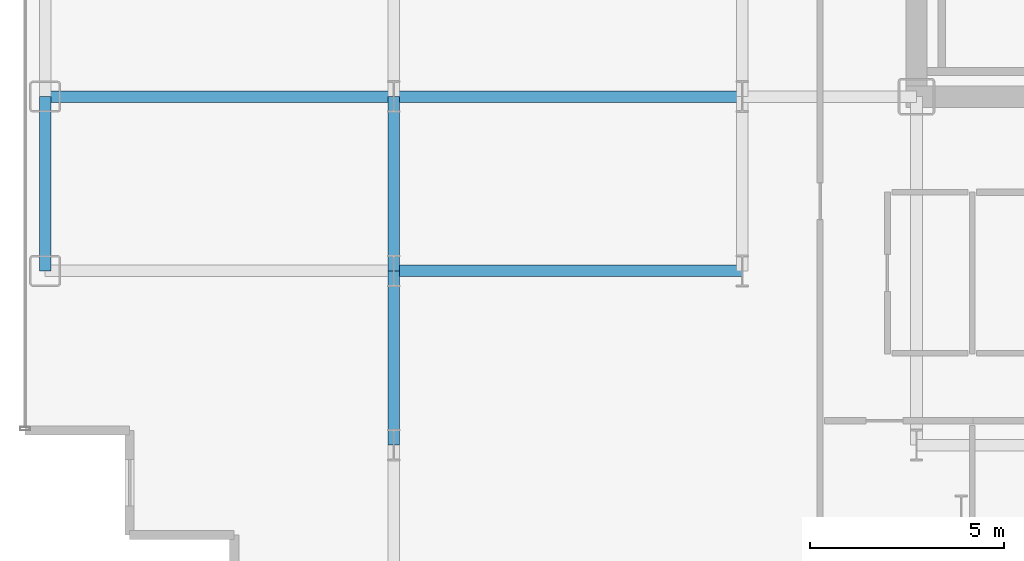
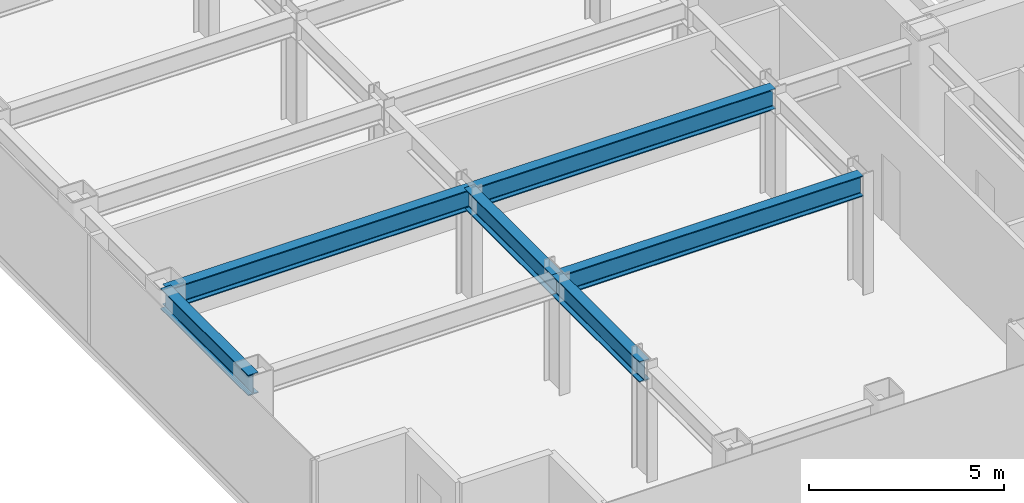
# One storey, part 4 of 23: 6 beams.
"""IFC4 building model written with IfcOpenShell, lengths in metres."""

from ifc_helpers import new_model, si_unit, direction, frame, origin, origin_2d, place, context, subcontext, project, spatial, i_section, extrude, source, transform, mapped, material, material_profile, profile_set, type_object, element, save


model = new_model("IFC4")

# Units and contexts
model_context = context("Model", 3, precision=1e-05, world=origin(), true_north=direction((0.0, 1.0)))
body_context = subcontext(model_context, "Body", "Model", "MODEL_VIEW")
ifc_project = project(units=[si_unit("LENGTHUNIT", "METRE"), si_unit("AREAUNIT", "SQUARE_METRE"), si_unit("VOLUMEUNIT", "CUBIC_METRE"), si_unit("PLANEANGLEUNIT", "RADIAN"), si_unit("MASSUNIT", "GRAM", prefix="KILO")], contexts=[model_context])

# Site, building, storey
site_placement = place(None, origin())
site = spatial("IfcSite", under=ifc_project, at=site_placement, CompositionType="ELEMENT")
building_placement = place(site_placement, origin())
building = spatial("IfcBuilding", under=site, at=building_placement, Name="Nefas-Gora Pilgrimage Tower", CompositionType="ELEMENT")
storey_placement = place(building_placement, frame((0.0, 0.0, 175.39990234375)))
storey = spatial("IfcBuildingStorey", under=building, at=storey_placement, Name="L43", CompositionType="ELEMENT", Elevation=175.39990234375)

# Beams
ifc_material = material(Name="Steel S355", Category="steel")
ifc_material_profile_1 = material_profile(ifc_material, i_section(OverallWidth=0.300048828125, OverallDepth=0.64990234375, WebThickness=0.01611328125, FlangeThickness=0.031005859375, FilletRadius=0.027099609375, at=origin_2d()), Name="HEB 650")
ifc_profile_set_1 = profile_set([ifc_material_profile_1], Name="Steel S355")
beam_type_1 = type_object("IfcBeamType", Name="BM-SPN-HEB500", PredefinedType="SPANDREL", material=ifc_profile_set_1)
shared_shape_1 = source(origin(), body_context, "Body", "SweptSolid", [
    extrude(i_section(OverallWidth=0.300048828125, OverallDepth=0.64990234375, WebThickness=0.01611328125, FlangeThickness=0.031005859375, FilletRadius=0.027099609375, at=origin_2d()), origin(), (0.0, 0.0, 1.0), 4.5),
])
beam_placement = place(storey_placement, frame((-33.75, -13.5, 3.22509765625), z_axis=(0.0, 1.0, 0.0), x_axis=(-1.0, 0.0, 0.0)))
element("IfcBeam", 1, at=beam_placement, inside=storey, type_object=beam_type_1, Name="L43 SP-02 beam", PredefinedType="SPANDREL", context=body_context, shape_type="MappedRepresentation", body=[
    mapped(shared_shape_1, transform((0.0, 0.0, 0.0), x_axis=(1.0, 0.0, 0.0), y_axis=(0.0, 1.0, 0.0), z_axis=(0.0, 0.0, 1.0), scale=1.0)),
])
ifc_material_profile_2 = material_profile(ifc_material, i_section(OverallWidth=0.300048828125, OverallDepth=0.64990234375, WebThickness=0.01611328125, FlangeThickness=0.031005859375, FilletRadius=0.027099609375, at=origin_2d()), Name="HEB 650")
ifc_profile_set_2 = profile_set([ifc_material_profile_2], Name="Steel S355")
beam_type_2 = type_object("IfcBeamType", Name="BM-GIR-HEB650", PredefinedType="BEAM", material=ifc_profile_set_2)
shared_shape_2 = source(origin(), body_context, "Body", "SweptSolid", [
    extrude(i_section(OverallWidth=0.300048828125, OverallDepth=0.64990234375, WebThickness=0.01611328125, FlangeThickness=0.031005859375, FilletRadius=0.027099609375, at=origin_2d()), origin(), (0.0, 0.0, 1.0), 9.0),
])
for number, where, z_axis, x_axis, name in (
    (2, (-33.75, -9.0, 3.22509765625), (1.0, 0.0, 0.0), (0.0, 1.0, 0.0), "L43 G-03 beam"),
    (3, (-24.75, -13.5, 3.22509765625), (1.0, 0.0, 0.0), (0.0, 1.0, 0.0), "L43 G-03 beam"),
    (4, (-24.75, -9.0, 3.22509765625), (1.0, 0.0, 0.0), (0.0, 1.0, 0.0), "L43 G-03 beam"),
):
    element("IfcBeam", number, at=place(storey_placement, frame(where, z_axis=z_axis, x_axis=x_axis)), inside=storey, type_object=beam_type_2, Name=name, PredefinedType="BEAM", context=body_context, shape_type="MappedRepresentation", body=[
        mapped(shared_shape_2, transform((0.0, 0.0, 0.0), x_axis=(1.0, 0.0, 0.0), y_axis=(0.0, 1.0, 0.0), z_axis=(0.0, 0.0, 1.0), scale=1.0)),
    ])
shared_shape_3 = source(origin(), body_context, "Body", "SweptSolid", [
    extrude(i_section(OverallWidth=0.300048828125, OverallDepth=0.64990234375, WebThickness=0.01611328125, FlangeThickness=0.031005859375, FilletRadius=0.027099609375, at=origin_2d()), origin(), (0.0, 0.0, 1.0), 4.5),
])
for number, where, z_axis, x_axis, name in (
    (5, (-24.75, -18.0, 3.22509765625), (0.0, 1.0, 0.0), (-1.0, 0.0, 0.0), "L43 G-03 beam"),
    (6, (-24.75, -13.5, 3.22509765625), (0.0, 1.0, 0.0), (-1.0, 0.0, 0.0), "L43 G-03 beam"),
):
    element("IfcBeam", number, at=place(storey_placement, frame(where, z_axis=z_axis, x_axis=x_axis)), inside=storey, type_object=beam_type_2, Name=name, PredefinedType="BEAM", context=body_context, shape_type="MappedRepresentation", body=[
        mapped(shared_shape_3, transform((0.0, 0.0, 0.0), x_axis=(1.0, 0.0, 0.0), y_axis=(0.0, 1.0, 0.0), z_axis=(0.0, 0.0, 1.0), scale=1.0)),
    ])

save(model, "model.ifc")
